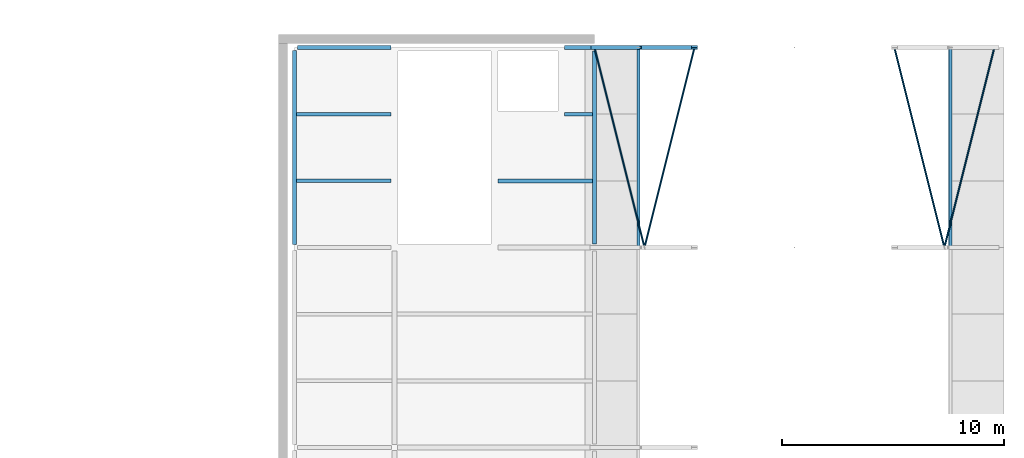
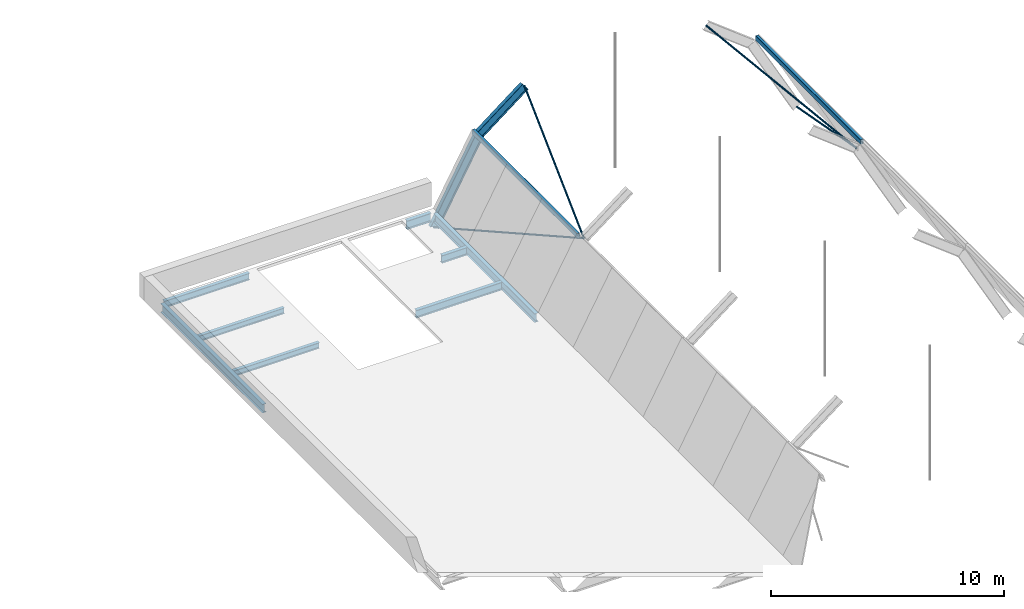
# One storey, part 23 of 62: 10 beams, 6 members.
"""IFC4 building model written with IfcOpenShell, lengths in metres."""

from ifc_helpers import new_model, si_unit, direction, frame, origin, origin_2d, place, context, subcontext, project, spatial, hollow_rectangle, hollow_circle, i_section, extrude, material, material_profile, profile_set, type_object, element, save


model = new_model("IFC4")

# Units and contexts
model_context = context("Model", 3, precision=1e-05, world=origin(), true_north=direction((0.0, 1.0)))
body_context = subcontext(model_context, "Body", "Model", "MODEL_VIEW")
ifc_project = project(units=[si_unit("LENGTHUNIT", "METRE"), si_unit("AREAUNIT", "SQUARE_METRE"), si_unit("VOLUMEUNIT", "CUBIC_METRE"), si_unit("PLANEANGLEUNIT", "RADIAN"), si_unit("MASSUNIT", "GRAM", prefix="KILO")], contexts=[model_context])

# Site, building, storey
site_placement = place(None, origin())
site = spatial("IfcSite", under=ifc_project, at=site_placement, CompositionType="ELEMENT")
building_placement = place(site_placement, origin())
building = spatial("IfcBuilding", under=site, at=building_placement, Name="Hortulan Conservatory and Botanical Research Centre", CompositionType="ELEMENT")
storey_placement = place(building_placement, frame((0.0, 0.0, 15.0)))
storey = spatial("IfcBuildingStorey", under=building, at=storey_placement, Name="L03", CompositionType="ELEMENT", Elevation=15.0)

# Beams
ifc_material_1 = material(Name="Steel Grade 300PLUS (AS/NZS 3679.1, 280 MPa minimum yield)", Category="steel")
ifc_material_profile_1 = material_profile(ifc_material_1, i_section(OverallWidth=0.1708984375, OverallDepth=0.35595703125, WebThickness=0.00732421875, FlangeThickness=0.011474609375, FilletRadius=0.011474609375, at=origin_2d()), Name="360UB50.7")
ifc_profile_set_1 = profile_set([ifc_material_profile_1], Name="Steel Grade 300PLUS (AS/NZS 3679.1, 280 MPa minimum yield)")
beam_type_1 = type_object("IfcBeamType", Name="Primary Beam 360UB50.7", PredefinedType="BEAM", material=ifc_profile_set_1)
beam_1_placement = place(storey_placement, frame((76.6279296875, 72.0, -0.327880859375), z_axis=(1.0, 0.0, 0.0), x_axis=(0.0, 1.0, 0.0)))
element("IfcBeam", 1, at=beam_1_placement, inside=storey, type_object=beam_type_1, Name="360UB50.7 girder", PredefinedType="BEAM", context=body_context, shape_type="SweptSolid", body=[
    extrude(i_section(OverallWidth=0.1708984375, OverallDepth=0.35595703125, WebThickness=0.00732421875, FlangeThickness=0.011474609375, FilletRadius=0.011474609375, at=origin_2d()), origin(), (0.0, 0.0, 1.0), 4.22216796875),
])
ifc_material_profile_2 = material_profile(ifc_material_1, i_section(OverallWidth=0.18994140625, OverallDepth=0.45703125, WebThickness=0.009033203125, FlangeThickness=0.014404296875, FilletRadius=0.011474609375, at=origin_2d()), Name="460UB74.6")
ifc_profile_set_2 = profile_set([ifc_material_profile_2], Name="Steel Grade 300PLUS (AS/NZS 3679.1, 280 MPa minimum yield)")
beam_type_2 = type_object("IfcBeamType", Name="Primary Beam 460UB74.6", PredefinedType="BEAM", material=ifc_profile_set_2)
beam_2_placement = place(storey_placement, frame((76.5, 63.1298828125, -0.37841796875), z_axis=(0.0, 1.0, 0.0), x_axis=(-1.0, 0.0, 0.0)))
element("IfcBeam", 2, at=beam_2_placement, inside=storey, type_object=beam_type_2, Name="460UB74.6 girder", PredefinedType="BEAM", context=body_context, shape_type="SweptSolid", body=[
    extrude(i_section(OverallWidth=0.18994140625, OverallDepth=0.45703125, WebThickness=0.009033203125, FlangeThickness=0.014404296875, FilletRadius=0.011474609375, at=origin_2d()), origin(), (0.0, 0.0, 1.0), 8.740234375),
])
beam_3_placement = place(storey_placement, frame((88.64990234375, 72.0, -0.37841796875), z_axis=(1.0, 0.0, 0.0), x_axis=(0.0, 1.0, 0.0)))
element("IfcBeam", 3, at=beam_3_placement, inside=storey, type_object=beam_type_2, Name="460UB74.6 girder", PredefinedType="BEAM", context=body_context, shape_type="SweptSolid", body=[
    extrude(i_section(OverallWidth=0.18994140625, OverallDepth=0.45703125, WebThickness=0.009033203125, FlangeThickness=0.014404296875, FilletRadius=0.011474609375, at=origin_2d()), origin(), (0.0, 0.0, 1.0), 1.189697265625),
])
beam_4_placement = place(storey_placement, frame((90.0, 63.160400390625, -0.37841796875), z_axis=(0.0, 1.0, 0.0), x_axis=(-1.0, 0.0, 0.0)))
element("IfcBeam", 4, at=beam_4_placement, inside=storey, type_object=beam_type_2, Name="460UB74.6 girder", PredefinedType="BEAM", context=body_context, shape_type="SweptSolid", body=[
    extrude(i_section(OverallWidth=0.18994140625, OverallDepth=0.45703125, WebThickness=0.009033203125, FlangeThickness=0.014404296875, FilletRadius=0.011474609375, at=origin_2d()), origin(), (0.0, 0.0, 1.0), 8.68505859375),
])
ifc_material_profile_3 = material_profile(ifc_material_1, i_section(OverallWidth=0.1650390625, OverallDepth=0.303955078125, WebThickness=0.006103515625, FlangeThickness=0.01025390625, FilletRadius=0.011474609375, at=origin_2d()), Name="310UB40.4")
ifc_profile_set_3 = profile_set([ifc_material_profile_3], Name="Steel Grade 300PLUS (AS/NZS 3679.1, 280 MPa minimum yield)")
beam_type_3 = type_object("IfcBeamType", Name="Secondary Beam 310UB40.4", PredefinedType="JOIST", material=ifc_profile_set_3)
for number, where, z_axis, x_axis, name in (
    (5, (76.594970703125, 66.0, -0.302001953125), (1.0, 0.0, 0.0), (0.0, 1.0, 0.0), "310UB40.4 secondary beam"),
    (6, (76.594970703125, 69.0, -0.302001953125), (1.0, 0.0, 0.0), (0.0, 1.0, 0.0), "310UB40.4 secondary beam"),
):
    element("IfcBeam", number, at=place(storey_placement, frame(where, z_axis=z_axis, x_axis=x_axis)), inside=storey, type_object=beam_type_3, Name=name, PredefinedType="JOIST", context=body_context, shape_type="SweptSolid", body=[
        extrude(i_section(OverallWidth=0.1650390625, OverallDepth=0.303955078125, WebThickness=0.006103515625, FlangeThickness=0.01025390625, FilletRadius=0.011474609375, at=origin_2d()), origin(), (0.0, 0.0, 1.0), 4.255126953125),
    ])
ifc_material_profile_4 = material_profile(ifc_material_1, i_section(OverallWidth=0.177978515625, OverallDepth=0.403076171875, WebThickness=0.007568359375, FlangeThickness=0.010986328125, FilletRadius=0.011474609375, at=origin_2d()), Name="410UB53.7")
ifc_profile_set_4 = profile_set([ifc_material_profile_4], Name="Steel Grade 300PLUS (AS/NZS 3679.1, 280 MPa minimum yield)")
beam_type_4 = type_object("IfcBeamType", Name="Secondary Beam 410UB53.7", PredefinedType="JOIST", material=ifc_profile_set_4)
beam_5_placement = place(storey_placement, frame((85.64990234375, 66.0, -0.3515625), z_axis=(1.0, 0.0, 0.0), x_axis=(0.0, 1.0, 0.0)))
element("IfcBeam", 7, at=beam_5_placement, inside=storey, type_object=beam_type_4, Name="410UB53.7 secondary beam", PredefinedType="JOIST", context=body_context, shape_type="SweptSolid", body=[
    extrude(i_section(OverallWidth=0.177978515625, OverallDepth=0.403076171875, WebThickness=0.007568359375, FlangeThickness=0.010986328125, FilletRadius=0.011474609375, at=origin_2d()), origin(), (0.0, 0.0, 1.0), 4.255126953125),
])
beam_6_placement = place(storey_placement, frame((88.64990234375, 69.0, -0.3515625), z_axis=(1.0, 0.0, 0.0), x_axis=(0.0, 1.0, 0.0)))
element("IfcBeam", 8, at=beam_6_placement, inside=storey, type_object=beam_type_4, Name="410UB53.7 secondary beam", PredefinedType="JOIST", context=body_context, shape_type="SweptSolid", body=[
    extrude(i_section(OverallWidth=0.177978515625, OverallDepth=0.403076171875, WebThickness=0.007568359375, FlangeThickness=0.010986328125, FilletRadius=0.011474609375, at=origin_2d()), origin(), (0.0, 0.0, 1.0), 1.255126953125),
])
ifc_material_profile_5 = material_profile(ifc_material_1, i_section(OverallWidth=0.18994140625, OverallDepth=0.45703125, WebThickness=0.009033203125, FlangeThickness=0.014404296875, FilletRadius=0.011474609375, at=origin_2d()), Name="460UB74.6")
ifc_profile_set_5 = profile_set([ifc_material_profile_5], Name="Steel Grade 300PLUS (AS/NZS 3679.1, 280 MPa minimum yield)")
beam_type_5 = type_object("IfcBeamType", Name="Vault Arch 460UB74.6", PredefinedType="BEAM", material=ifc_profile_set_5)
beam_7_placement = place(storey_placement, frame((90.0, 72.0, -1.0), z_axis=(0.481904698653, 0.0, 0.876223636646), x_axis=(0.0, 1.0, 0.0)))
element("IfcBeam", 9, at=beam_7_placement, inside=storey, type_object=beam_type_5, Name="Vault arch 5 chord 1", PredefinedType="BEAM", context=body_context, shape_type="SweptSolid", body=[
    extrude(i_section(OverallWidth=0.18994140625, OverallDepth=0.45703125, WebThickness=0.009033203125, FlangeThickness=0.014404296875, FilletRadius=0.011474609375, at=origin_2d()), origin(), (0.0, 0.0, 1.0), 4.6689453125),
])
beam_8_placement = place(storey_placement, frame((92.25, 72.0, 3.091064453125), z_axis=(0.790057951817, 0.0, 0.613032162917), x_axis=(0.0, 1.0, 0.0)))
element("IfcBeam", 10, at=beam_8_placement, inside=storey, type_object=beam_type_5, Name="Vault arch 5 chord 2", PredefinedType="BEAM", context=body_context, shape_type="SweptSolid", body=[
    extrude(i_section(OverallWidth=0.18994140625, OverallDepth=0.45703125, WebThickness=0.009033203125, FlangeThickness=0.014404296875, FilletRadius=0.011474609375, at=origin_2d()), origin(), (0.0, 0.0, 1.0), 2.847900390625),
])

# Members
ifc_material_2 = material(Name="Steel Grade C450L0 (450 MPa, AS/NZS 1163)", Category="steel")
ifc_material_profile_6 = material_profile(ifc_material_2, hollow_rectangle(XDim=0.14990234375, YDim=0.25, WallThickness=0.009033203125, InnerFilletRadius=0.013427734375, OuterFilletRadius=0.0224609375, at=origin_2d()), Name="250x150x9RHS")
ifc_profile_set_6 = profile_set([ifc_material_profile_6], Name="Steel Grade C450L0 (450 MPa, AS/NZS 1163)")
member_type_1 = type_object("IfcMemberType", Name="Vault Purlin 250x150x9 RHS", PredefinedType="PURLIN", material=ifc_profile_set_6)
for number, where, z_axis, x_axis, name in (
    (11, (91.9794921875, 63.0, 3.322021484375), (0.0, 1.0, 0.0), (-1.0, 0.0, 0.0), "Vault purlin 1 bay 4"),
    (12, (106.0205078125, 63.0, 3.322021484375), (0.0, 1.0, 0.0), (-1.0, 0.0, 0.0), "Vault purlin 7 bay 4"),
):
    element("IfcMember", number, at=place(storey_placement, frame(where, z_axis=z_axis, x_axis=x_axis)), inside=storey, type_object=member_type_1, Name=name, PredefinedType="PURLIN", context=body_context, shape_type="SweptSolid", body=[
        extrude(hollow_rectangle(XDim=0.14990234375, YDim=0.25, WallThickness=0.009033203125, InnerFilletRadius=0.013427734375, OuterFilletRadius=0.0224609375, at=origin_2d()), origin(), (0.0, 0.0, 1.0), 9.0),
    ])
ifc_material_3 = material(Name="Steel Grade C350L0 (350 MPa, AS/NZS 1163)", Category="steel")
ifc_material_profile_7 = material_profile(ifc_material_3, hollow_circle(Radius=0.04443359375, WallThickness=0.005859375, at=origin_2d()), Name="88.9x5.9CHS")
ifc_profile_set_7 = profile_set([ifc_material_profile_7], Name="Steel Grade C350L0 (350 MPa, AS/NZS 1163)")
member_type_2 = type_object("IfcMemberType", Name="Vault Roof Brace 88.9x5.9 CHS", PredefinedType="BRACE", material=ifc_profile_set_7)
member_1_placement = place(storey_placement, frame((90.0, 72.0, -1.0), z_axis=(0.221915389913, -0.887661559654, 0.403497850345), x_axis=(0.970142500145, 0.242535625036, 0.0)))
element("IfcMember", 13, at=member_1_placement, inside=storey, type_object=member_type_2, Name="Vault roof brace bay 4 panel 1", PredefinedType="BRACE", context=body_context, shape_type="SweptSolid", body=[
    extrude(hollow_circle(Radius=0.04443359375, WallThickness=0.005859375, at=origin_2d()), origin(), (0.0, 0.0, 1.0), 10.138916015625),
])
for number, where, z_axis, x_axis, name in (
    (14, (92.25, 63.0, 3.091064453125), (0.238351615664, 0.953406462658, 0.184944922267), (-0.970142500145, 0.242535625036, 0.0), "Vault roof brace bay 4 panel 2"),
    (15, (103.5, 72.0, 4.8369140625), (0.238351615664, -0.953406462658, -0.184944922267), (0.970142500145, 0.242535625036, 0.0), "Vault roof brace bay 4 panel 7"),
):
    element("IfcMember", number, at=place(storey_placement, frame(where, z_axis=z_axis, x_axis=x_axis)), inside=storey, type_object=member_type_2, Name=name, PredefinedType="BRACE", context=body_context, shape_type="SweptSolid", body=[
        extrude(hollow_circle(Radius=0.04443359375, WallThickness=0.005859375, at=origin_2d()), origin(), (0.0, 0.0, 1.0), 9.43994140625),
    ])
member_2_placement = place(storey_placement, frame((105.75, 63.0, 3.091064453125), z_axis=(0.221915389913, 0.887661559654, -0.403497850345), x_axis=(-0.970142500145, 0.242535625036, 0.0)))
element("IfcMember", 16, at=member_2_placement, inside=storey, type_object=member_type_2, Name="Vault roof brace bay 4 panel 8", PredefinedType="BRACE", context=body_context, shape_type="SweptSolid", body=[
    extrude(hollow_circle(Radius=0.04443359375, WallThickness=0.005859375, at=origin_2d()), origin(), (0.0, 0.0, 1.0), 10.138916015625),
])

save(model, "model.ifc")
